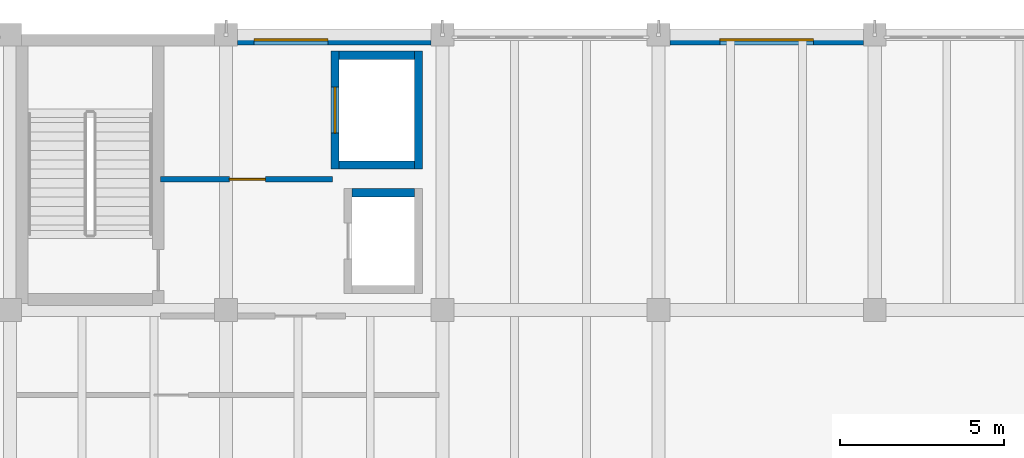
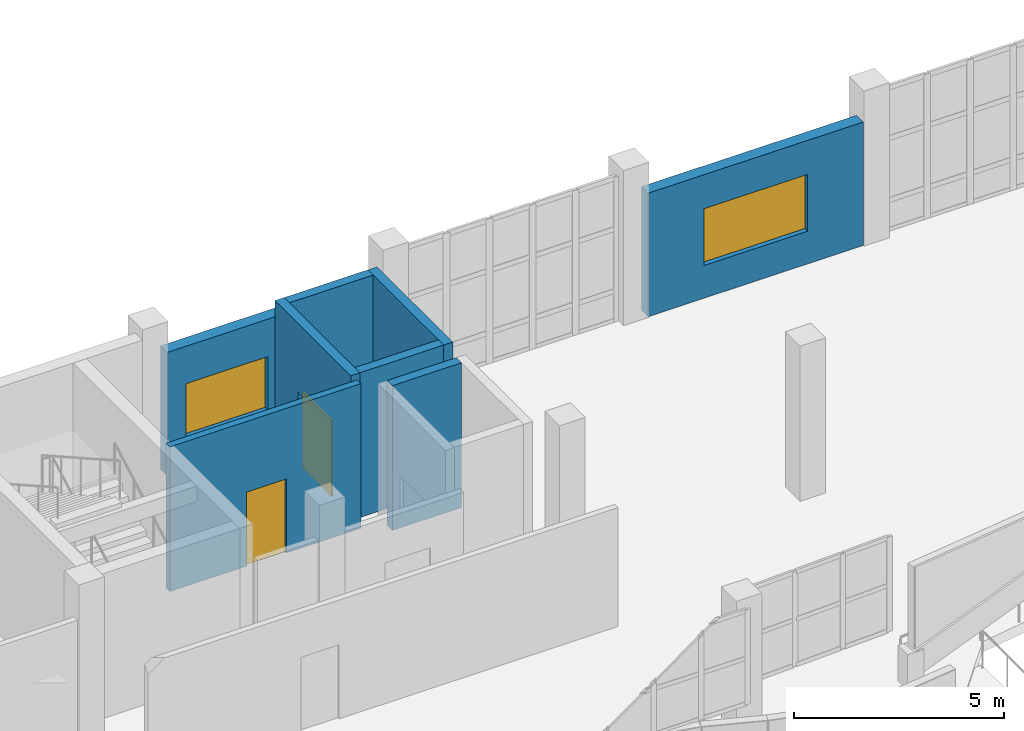
# One storey, part 55 of 83: 8 walls, 2 doors, 2 windows, 4 openings.
"""IFC4 building model written with IfcOpenShell, lengths in metres."""

from ifc_helpers import new_model, si_unit, direction, frame, frame_2d, origin, place, context, subcontext, project, spatial, rectangle, extrude, material, layer, layer_set, type_object, element, fill, save


model = new_model("IFC4")

# Units and contexts
model_context = context("Model", 3, precision=1e-05, world=origin(), true_north=direction((0.0, 1.0)))
body_context = subcontext(model_context, "Body", "Model", "MODEL_VIEW")
ifc_project = project(units=[si_unit("LENGTHUNIT", "METRE"), si_unit("AREAUNIT", "SQUARE_METRE"), si_unit("VOLUMEUNIT", "CUBIC_METRE"), si_unit("PLANEANGLEUNIT", "RADIAN"), si_unit("MASSUNIT", "GRAM", prefix="KILO")], contexts=[model_context])

# Site, building, storey
site_placement = place(None, origin())
site = spatial("IfcSite", under=ifc_project, at=site_placement, CompositionType="ELEMENT")
building_placement = place(site_placement, origin())
building = spatial("IfcBuilding", under=site, at=building_placement, Name="Qaldarim Faculty of Natural and Applied Sciences", CompositionType="ELEMENT")
storey_placement = place(building_placement, frame((0.0, 0.0, 5.39990234375)))
storey = spatial("IfcBuildingStorey", under=building, at=storey_placement, Name="L01", CompositionType="ELEMENT", Elevation=5.39990234375)

# Wall, opening, window
ifc_material_1 = material(Name="Precast concrete C40/50", Category="concrete")
ifc_layer_1 = layer(ifc_material_1, 0.320068359375)
ifc_layer_set_1 = layer_set([ifc_layer_1], Name="Precast concrete C40/50")
wall_type_1 = type_object("IfcWallType", Name="ExteriorLimestoneWall-320", PredefinedType="SOLIDWALL", material=ifc_layer_set_1)
wall_1_placement = place(storey_placement, frame((111.85498046875, 117.43994140625, 0.0), z_axis=(0.0, 0.0, 1.0), x_axis=(-1.0, 0.0, 0.0)))
wall_1 = element("IfcWall", 1, at=wall_1_placement, inside=storey, type_object=wall_type_1, Name="Exterior wall EW01 L01 N X17Y14", PredefinedType="SOLIDWALL", context=body_context, shape_type="SweptSolid", body=[
    extrude(rectangle(XDim=5.909912109375, YDim=0.320068359375, at=frame_2d((2.955078125, 0.0))), origin(), (0.0, 0.0, 1.0), 3.585205078125),
])
opening_1_placement = place(wall_1_placement, frame((3.14990234375, 0.0, 0.949951171875)))
opening_1 = element("IfcOpeningElement", 2, at=opening_1_placement, cuts=wall_1, Name="Opening WN12", PredefinedType="OPENING", context=body_context, shape_type="SweptSolid", body=[
    extrude(rectangle(XDim=2.25, YDim=1.550048828125, at=frame_2d((1.125, 0.77490234375))), frame((0.0, 0.169921875, 0.0), z_axis=(0.0, -1.0, 0.0), x_axis=(1.0, 0.0, 0.0)), (0.0, 0.0, 1.0), 0.340087890625),
])
ifc_material_2 = material(Name="Insulated low-e double glazing", Category="glass")
window_type_1 = type_object("IfcWindowType", Name="LabWindow-2250x1550", PartitioningType="TRIPLE_PANEL_VERTICAL", PredefinedType="WINDOW", material=ifc_material_2)
window_1_placement = place(opening_1_placement, origin())
window_1 = element("IfcWindow", 3, at=window_1_placement, inside=storey, type_object=window_type_1, Name="Facade window WN12 L01 N X17Y14", OverallHeight=1.550048828125, OverallWidth=2.25, PartitioningType="SINGLE_PANEL", PredefinedType="WINDOW", context=body_context, shape_type="SweptSolid", body=[
    extrude(rectangle(XDim=2.25, YDim=1.550048828125, at=frame_2d((1.125, 0.77490234375))), frame((0.0, 0.030029296875, 0.0), z_axis=(0.0, -1.0, 0.0), x_axis=(1.0, 0.0, 0.0)), (0.0, 0.0, 1.0), 0.06005859375),
])
fill(opening_1, window_1)

wall_2_placement = place(storey_placement, frame((125.054931640625, 117.43994140625, 0.0), z_axis=(0.0, 0.0, 1.0), x_axis=(-1.0, 0.0, 0.0)))
wall_2 = element("IfcWall", 4, at=wall_2_placement, inside=storey, type_object=wall_type_1, Name="Exterior wall EW01 L01 N X19Y14", PredefinedType="SOLIDWALL", context=body_context, shape_type="SweptSolid", body=[
    extrude(rectangle(XDim=5.909912109375, YDim=0.320068359375, at=frame_2d((2.955078125, 0.0))), origin(), (0.0, 0.0, 1.0), 3.585205078125),
])
opening_2_placement = place(wall_2_placement, frame((1.530029296875, 0.0, 0.949951171875)))
opening_2 = element("IfcOpeningElement", 5, at=opening_2_placement, cuts=wall_2, Name="Opening WN14", PredefinedType="OPENING", context=body_context, shape_type="SweptSolid", body=[
    extrude(rectangle(XDim=2.85009765625, YDim=1.64990234375, at=frame_2d((1.425048828125, 0.824951171875))), frame((0.0, 0.169921875, 0.0), z_axis=(0.0, -1.0, 0.0), x_axis=(1.0, 0.0, 0.0)), (0.0, 0.0, 1.0), 0.340087890625),
])
window_type_2 = type_object("IfcWindowType", Name="LabWindow-2850x1650", PartitioningType="TRIPLE_PANEL_VERTICAL", PredefinedType="WINDOW", material=ifc_material_2)
window_2_placement = place(opening_2_placement, origin())
window_2 = element("IfcWindow", 6, at=window_2_placement, inside=storey, type_object=window_type_2, Name="Facade window WN14 L01 N X19Y14", OverallHeight=1.64990234375, OverallWidth=2.85009765625, PartitioningType="SINGLE_PANEL", PredefinedType="WINDOW", context=body_context, shape_type="SweptSolid", body=[
    extrude(rectangle(XDim=2.85009765625, YDim=1.64990234375, at=frame_2d((1.425048828125, 0.824951171875))), frame((0.0, 0.030029296875, 0.0), z_axis=(0.0, -1.0, 0.0), x_axis=(1.0, 0.0, 0.0)), (0.0, 0.0, 1.0), 0.06005859375),
])
fill(opening_2, window_2)

# Wall, opening, door
ifc_material_3 = material(Name="Concrete C40/50", Category="concrete")
ifc_layer_2 = layer(ifc_material_3, 0.179931640625)
ifc_layer_set_2 = layer_set([ifc_layer_2], Name="Concrete C40/50")
wall_type_2 = type_object("IfcWallType", Name="LabFireCompartmentWall-180", PredefinedType="SOLIDWALL", material=ifc_layer_set_2)
wall_3_placement = place(storey_placement, frame((103.60009765625, 113.18994140625, 0.0), z_axis=(0.0, 0.0, 1.0), x_axis=(1.0, 0.0, 0.0)))
wall_3 = element("IfcWall", 7, at=wall_3_placement, inside=storey, type_object=wall_type_2, Name="Fire-fighting lobby north wall Core B L01", PredefinedType="SOLIDWALL", context=body_context, shape_type="SweptSolid", body=[
    extrude(rectangle(XDim=5.25, YDim=0.179931640625, at=frame_2d((2.625, 0.0))), origin(), (0.0, 0.0, 1.0), 4.2001953125),
])
opening_3_placement = place(wall_3_placement, frame((2.10009765625, 0.0, 0.0)))
opening_3 = element("IfcOpeningElement", 8, at=opening_3_placement, cuts=wall_3, Name="Opening ID03", PredefinedType="OPENING", context=body_context, shape_type="SweptSolid", body=[
    extrude(rectangle(XDim=1.10009765625, YDim=2.14990234375, at=frame_2d((0.550048828125, 1.074951171875))), frame((0.0, 0.099853515625, 0.0), z_axis=(0.0, -1.0, 0.0), x_axis=(1.0, 0.0, 0.0)), (0.0, 0.0, 1.0), 0.199951171875),
])
ifc_material_4 = material(Name="Oak hardwood", Category="wood")
door_type_1 = type_object("IfcDoorType", Name="FireLobbyDoor-1100x2150", OperationType="NOTDEFINED", PredefinedType="DOOR", material=ifc_material_4)
door_1_placement = place(opening_3_placement, frame((1.10009765625, 0.0, 0.0), z_axis=(0.0, 0.0, 1.0), x_axis=(-1.0, 0.0, 0.0)))
door_1 = element("IfcDoor", 9, at=door_1_placement, inside=storey, type_object=door_type_1, Name="Passenger lift lobby door Core B D-L01-641", OperationType="SINGLE_SWING_RIGHT", OverallHeight=2.14990234375, OverallWidth=1.10009765625, PredefinedType="DOOR", context=body_context, shape_type="SweptSolid", body=[
    extrude(rectangle(XDim=1.10009765625, YDim=2.14990234375, at=frame_2d((0.550048828125, 1.074951171875))), frame((0.0, 0.02490234375, 0.0), z_axis=(0.0, -1.0, 0.0), x_axis=(1.0, 0.0, 0.0)), (0.0, 0.0, 1.0), 0.050048828125),
])
fill(opening_3, door_1)

# Wall
ifc_layer_3 = layer(ifc_material_3, 0.25)
ifc_layer_set_3 = layer_set([ifc_layer_3], Name="Concrete C40/50")
wall_type_3 = type_object("IfcWallType", Name="LiftShaftWall-250", PredefinedType="SHEAR", material=ifc_layer_set_3)
wall_4_placement = place(storey_placement, frame((109.449951171875, 112.77490234375, 0.0), z_axis=(0.0, 0.0, 1.0), x_axis=(1.0, 0.0, 0.0)))
element("IfcWall", 10, at=wall_4_placement, inside=storey, type_object=wall_type_3, Name="Lift LF-B1 north shaft wall L01", PredefinedType="SHEAR", context=body_context, shape_type="SweptSolid", body=[
    extrude(rectangle(XDim=1.900146484375, YDim=0.25, at=frame_2d((0.9501953125, 0.0))), origin(), (0.0, 0.0, 1.0), 4.2001953125),
])

# Wall, opening, door
wall_5_placement = place(storey_placement, frame((108.925048828125, 113.5, 0.0), z_axis=(0.0, 0.0, 1.0), x_axis=(0.0, 1.0, 0.0)))
wall_5 = element("IfcWall", 11, at=wall_5_placement, inside=storey, type_object=wall_type_3, Name="Lift LF-B2 front shaft wall L01", PredefinedType="SHEAR", context=body_context, shape_type="SweptSolid", body=[
    extrude(rectangle(XDim=3.60009765625, YDim=0.25, at=frame_2d((1.800048828125, 0.0))), origin(), (0.0, 0.0, 1.0), 4.2001953125),
])
opening_4_placement = place(wall_5_placement, frame((1.10009765625, 0.0, 0.0)))
opening_4 = element("IfcOpeningElement", 12, at=opening_4_placement, cuts=wall_5, Name="Opening LD02", PredefinedType="OPENING", context=body_context, shape_type="SweptSolid", body=[
    extrude(rectangle(XDim=1.39990234375, YDim=2.199951171875, at=frame_2d((0.699951171875, 1.10009765625))), frame((0.0, 0.135009765625, 0.0), z_axis=(0.0, -1.0, 0.0), x_axis=(1.0, 0.0, 0.0)), (0.0, 0.0, 1.0), 0.27001953125),
])
ifc_material_5 = material(Name="Architectural stainless steel 316", Category="steel")
door_type_2 = type_object("IfcDoorType", Name="GoodsLiftSlidingDoor-1400x2200", OperationType="NOTDEFINED", PredefinedType="DOOR", material=ifc_material_5)
door_2_placement = place(opening_4_placement, origin())
door_2 = element("IfcDoor", 13, at=door_2_placement, inside=storey, type_object=door_type_2, Name="Lift landing sliding door LF-B2 D-L01-631", OperationType="SLIDING_TO_LEFT", OverallHeight=2.199951171875, OverallWidth=1.39990234375, PredefinedType="DOOR", context=body_context, shape_type="SweptSolid", body=[
    extrude(rectangle(XDim=1.39990234375, YDim=2.199951171875, at=frame_2d((0.699951171875, 1.10009765625))), frame((0.0, 0.02490234375, 0.0), z_axis=(0.0, -1.0, 0.0), x_axis=(1.0, 0.0, 0.0)), (0.0, 0.0, 1.0), 0.050048828125),
])
fill(opening_4, door_2)

# Walls
wall_6_placement = place(storey_placement, frame((111.47509765625, 113.5, 0.0), z_axis=(0.0, 0.0, 1.0), x_axis=(0.0, 1.0, 0.0)))
element("IfcWall", 14, at=wall_6_placement, inside=storey, type_object=wall_type_3, Name="Lift LF-B2 rear shaft wall L01", PredefinedType="SHEAR", context=body_context, shape_type="SweptSolid", body=[
    extrude(rectangle(XDim=3.60009765625, YDim=0.25, at=frame_2d((1.800048828125, 0.0))), origin(), (0.0, 0.0, 1.0), 4.2001953125),
])
for number, where, z_axis, x_axis, name in (
    (15, (109.050048828125, 113.625, 0.0), (0.0, 0.0, 1.0), (1.0, 0.0, 0.0), "Lift LF-B2 south shaft wall L01"),
    (16, (109.050048828125, 116.97509765625, 0.0), (0.0, 0.0, 1.0), (1.0, 0.0, 0.0), "Lift LF-B2 north shaft wall L01"),
):
    element("IfcWall", number, at=place(storey_placement, frame(where, z_axis=z_axis, x_axis=x_axis)), inside=storey, type_object=wall_type_3, Name=name, PredefinedType="SHEAR", context=body_context, shape_type="SweptSolid", body=[
        extrude(rectangle(XDim=2.300048828125, YDim=0.25, at=frame_2d((1.14990234375, 0.0))), origin(), (0.0, 0.0, 1.0), 4.2001953125),
    ])

save(model, "model.ifc")
